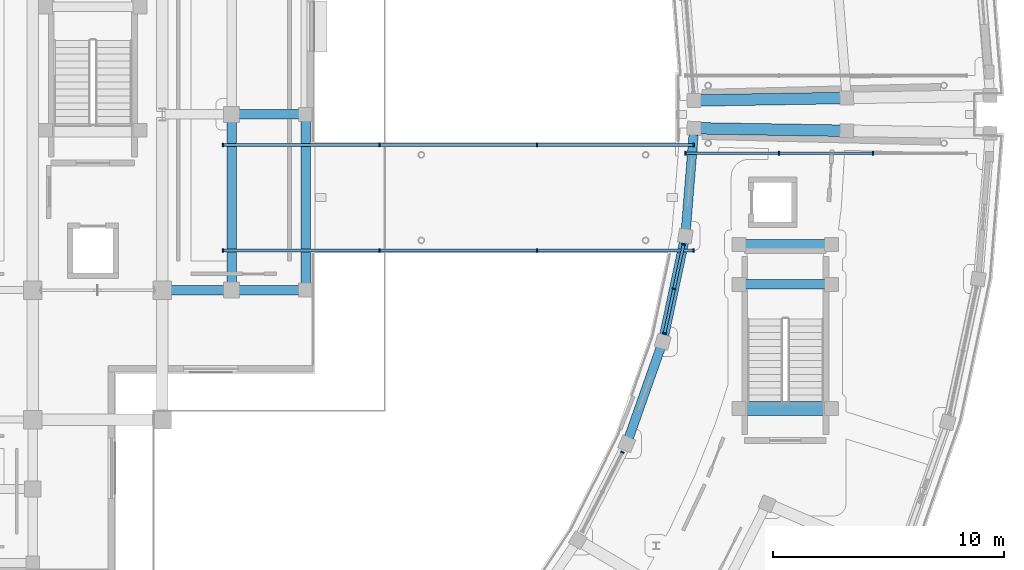
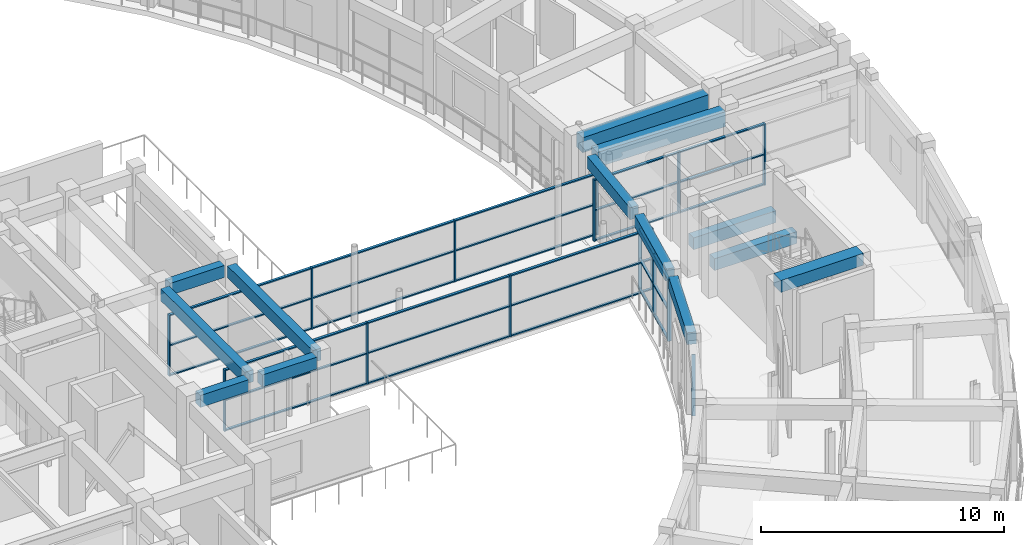
# One storey, part 25 of 72: 45 members, 13 beams, 5 elements without a shape of their own.
"""IFC4 building model written with IfcOpenShell, lengths in metres."""

from ifc_helpers import new_model, si_unit, direction, frame, origin, origin_2d, place, context, subcontext, project, spatial, rectangle, extrude, material, material_profile, profile_set, type_object, element, aggregate, save


model = new_model("IFC4")

# Units and contexts
model_context = context("Model", 3, precision=1e-05, world=origin(), true_north=direction((0.0, 1.0)))
body_context = subcontext(model_context, "Body", "Model", "MODEL_VIEW")
ifc_project = project(units=[si_unit("LENGTHUNIT", "METRE"), si_unit("AREAUNIT", "SQUARE_METRE"), si_unit("VOLUMEUNIT", "CUBIC_METRE"), si_unit("PLANEANGLEUNIT", "RADIAN"), si_unit("MASSUNIT", "GRAM", prefix="KILO")], contexts=[model_context])

# Site, building, storey
site_placement = place(None, origin())
site = spatial("IfcSite", under=ifc_project, at=site_placement, CompositionType="ELEMENT")
building_placement = place(site_placement, origin())
building = spatial("IfcBuilding", under=site, at=building_placement, Name="Saryqyr Civic Hall", CompositionType="ELEMENT")
storey_placement = place(building_placement, frame((0.0, 0.0, 17.25)))
storey = spatial("IfcBuildingStorey", under=building, at=storey_placement, Name="L04", CompositionType="ELEMENT", Elevation=17.25)

# Curtain wall, member
ifc_material_1 = material(Name="Anodised aluminium and triple low-E glass", Category="aluminium")
curtain_wall_type_1 = type_object("IfcCurtainWallType", Name="ENV-CW-STD-17", PredefinedType="NOTDEFINED", material=ifc_material_1)
curtain_wall_1_placement = place(storey_placement, origin())
curtain_wall_1 = element("IfcCurtainWall", 1, at=curtain_wall_1_placement, inside=storey, type_object=curtain_wall_type_1, Name="Curtain wall V5-CWI-L04-06", PredefinedType="NOTDEFINED")
ifc_material_2 = material(Name="Anodised aluminium", Category="aluminium")
ifc_material_profile_1 = material_profile(ifc_material_2, rectangle(XDim=0.06005859375, YDim=0.159912109375, at=origin_2d()), Name="ALU MULLION 60x160")
ifc_profile_set_1 = profile_set([ifc_material_profile_1], Name="Anodised aluminium")
member_type_1 = type_object("IfcMemberType", Name="ENV-CW-MUL-180", PredefinedType="MULLION", material=ifc_profile_set_1)
member_1_placement = place(storey_placement, frame((90.095458984375, 69.392822265625, 0.0), z_axis=(0.0, 0.0, 1.0), x_axis=(0.451909750219, 0.892063662334, 0.0)))
member_1 = element("IfcMember", 2, at=member_1_placement, type_object=member_type_1, Name="CW-17 mullion 3", PredefinedType="MULLION", context=body_context, shape_type="SweptSolid", body=[
    extrude(rectangle(XDim=0.06005859375, YDim=0.159912109375, at=origin_2d()), origin(), (0.0, 0.0, 1.0), 3.0849609375),
])
aggregate(curtain_wall_1, [member_1])

# Curtain wall, members
curtain_wall_type_2 = type_object("IfcCurtainWallType", Name="ENV-CW-STD-13", PredefinedType="NOTDEFINED", material=ifc_material_1)
curtain_wall_2_placement = place(storey_placement, origin())
curtain_wall_2 = element("IfcCurtainWall", 3, at=curtain_wall_2_placement, inside=storey, type_object=curtain_wall_type_2, Name="Curtain wall V5-CWI-L04-08", PredefinedType="NOTDEFINED")
member_2_placement = place(storey_placement, frame((91.91796875, 74.537109375, 0.0), z_axis=(0.0, 0.0, 1.0), x_axis=(0.208899296688, 0.97793715741, 0.0)))
member_2 = element("IfcMember", 4, at=member_2_placement, type_object=member_type_1, Name="CW-13 mullion 1", PredefinedType="MULLION", context=body_context, shape_type="SweptSolid", body=[
    extrude(rectangle(XDim=0.06005859375, YDim=0.159912109375, at=origin_2d()), origin(), (0.0, 0.0, 1.0), 3.0849609375),
])
member_3_placement = place(storey_placement, frame((92.327392578125, 76.453857421875, 0.0), z_axis=(0.0, 0.0, 1.0), x_axis=(0.208899296688, 0.97793715741, 0.0)))
member_3 = element("IfcMember", 5, at=member_3_placement, type_object=member_type_1, Name="CW-13 mullion 2", PredefinedType="MULLION", context=body_context, shape_type="SweptSolid", body=[
    extrude(rectangle(XDim=0.06005859375, YDim=0.159912109375, at=origin_2d()), origin(), (0.0, 0.0, 1.0), 3.0849609375),
])
member_4_placement = place(storey_placement, frame((92.73681640625, 78.37060546875, 0.0), z_axis=(0.0, 0.0, 1.0), x_axis=(0.208899296688, 0.97793715741, 0.0)))
member_4 = element("IfcMember", 6, at=member_4_placement, type_object=member_type_1, Name="CW-13 mullion 3", PredefinedType="MULLION", context=body_context, shape_type="SweptSolid", body=[
    extrude(rectangle(XDim=0.06005859375, YDim=0.159912109375, at=origin_2d()), origin(), (0.0, 0.0, 1.0), 3.0849609375),
])

curtain_wall_type_3 = type_object("IfcCurtainWallType", Name="ENV-CW-STD-81", PredefinedType="NOTDEFINED", material=ifc_material_1)
curtain_wall_3_placement = place(storey_placement, origin())
curtain_wall_3 = element("IfcCurtainWall", 7, at=curtain_wall_3_placement, inside=storey, type_object=curtain_wall_type_3, Name="Curtain wall BR-E-CW1-L04", PredefinedType="NOTDEFINED")
member_5_placement = place(storey_placement, frame((100.933349609375, 82.320068359375, 0.0), z_axis=(0.0, 0.0, 1.0), x_axis=(-1.0, 0.0, 0.0)))
member_5 = element("IfcMember", 8, at=member_5_placement, type_object=member_type_1, Name="CW-81 mullion 2", PredefinedType="MULLION", context=body_context, shape_type="SweptSolid", body=[
    extrude(rectangle(XDim=0.06005859375, YDim=0.159912109375, at=origin_2d()), origin(), (0.0, 0.0, 1.0), 3.0849609375),
])
member_6_placement = place(storey_placement, frame((96.86669921875, 82.320068359375, 0.0), z_axis=(0.0, 0.0, 1.0), x_axis=(-1.0, 0.0, 0.0)))
member_6 = element("IfcMember", 9, at=member_6_placement, type_object=member_type_1, Name="CW-81 mullion 3", PredefinedType="MULLION", context=body_context, shape_type="SweptSolid", body=[
    extrude(rectangle(XDim=0.06005859375, YDim=0.159912109375, at=origin_2d()), origin(), (0.0, 0.0, 1.0), 3.0849609375),
])
member_7_placement = place(storey_placement, frame((92.830078125, 82.320068359375, 0.0), z_axis=(0.0, 0.0, 1.0), x_axis=(-1.0, 0.0, 0.0)))
member_7 = element("IfcMember", 10, at=member_7_placement, type_object=member_type_1, Name="CW-81 mullion 4", PredefinedType="MULLION", context=body_context, shape_type="SweptSolid", body=[
    extrude(rectangle(XDim=0.06005859375, YDim=0.159912109375, at=origin_2d()), origin(), (0.0, 0.0, 1.0), 3.0849609375),
])

curtain_wall_type_4 = type_object("IfcCurtainWallType", Name="ENV-CW-STD-87", PredefinedType="NOTDEFINED", material=ifc_material_1)
curtain_wall_4_placement = place(storey_placement, origin())
curtain_wall_4 = element("IfcCurtainWall", 11, at=curtain_wall_4_placement, inside=storey, type_object=curtain_wall_type_4, Name="Curtain wall BR-CE-CW1-L04", PredefinedType="NOTDEFINED")
member_8_placement = place(storey_placement, frame((93.169921875, 78.1201171875, 0.0), z_axis=(0.0, 0.0, 1.0), x_axis=(-1.0, 0.0, 0.0)))
member_8 = element("IfcMember", 12, at=member_8_placement, type_object=member_type_1, Name="CW-87 mullion 1", PredefinedType="MULLION", context=body_context, shape_type="SweptSolid", body=[
    extrude(rectangle(XDim=0.06005859375, YDim=0.159912109375, at=origin_2d()), origin(), (0.0, 0.0, 1.0), 3.0849609375),
])
member_9_placement = place(storey_placement, frame((86.39990234375, 78.1201171875, 0.0), z_axis=(0.0, 0.0, 1.0), x_axis=(-1.0, 0.0, 0.0)))
member_9 = element("IfcMember", 13, at=member_9_placement, type_object=member_type_1, Name="CW-87 mullion 2", PredefinedType="MULLION", context=body_context, shape_type="SweptSolid", body=[
    extrude(rectangle(XDim=0.06005859375, YDim=0.159912109375, at=origin_2d()), origin(), (0.0, 0.0, 1.0), 3.0849609375),
])
member_10_placement = place(storey_placement, frame((79.60009765625, 78.1201171875, 0.0), z_axis=(0.0, 0.0, 1.0), x_axis=(-1.0, 0.0, 0.0)))
member_10 = element("IfcMember", 14, at=member_10_placement, type_object=member_type_1, Name="CW-87 mullion 3", PredefinedType="MULLION", context=body_context, shape_type="SweptSolid", body=[
    extrude(rectangle(XDim=0.06005859375, YDim=0.159912109375, at=origin_2d()), origin(), (0.0, 0.0, 1.0), 3.0849609375),
])
member_11_placement = place(storey_placement, frame((72.830078125, 78.1201171875, 0.0), z_axis=(0.0, 0.0, 1.0), x_axis=(-1.0, 0.0, 0.0)))
member_11 = element("IfcMember", 15, at=member_11_placement, type_object=member_type_1, Name="CW-87 mullion 4", PredefinedType="MULLION", context=body_context, shape_type="SweptSolid", body=[
    extrude(rectangle(XDim=0.06005859375, YDim=0.159912109375, at=origin_2d()), origin(), (0.0, 0.0, 1.0), 3.0849609375),
])

curtain_wall_5_placement = place(storey_placement, origin())
curtain_wall_5 = element("IfcCurtainWall", 16, at=curtain_wall_5_placement, inside=storey, type_object=curtain_wall_type_4, Name="Curtain wall BR-CE-CW2-L04", PredefinedType="NOTDEFINED")
member_12_placement = place(storey_placement, frame((72.830078125, 82.679931640625, 0.0), z_axis=(0.0, 0.0, 1.0), x_axis=(1.0, 0.0, 0.0)))
member_12 = element("IfcMember", 17, at=member_12_placement, type_object=member_type_1, Name="CW-87 mullion 1", PredefinedType="MULLION", context=body_context, shape_type="SweptSolid", body=[
    extrude(rectangle(XDim=0.06005859375, YDim=0.159912109375, at=origin_2d()), origin(), (0.0, 0.0, 1.0), 3.0849609375),
])
member_13_placement = place(storey_placement, frame((79.60009765625, 82.679931640625, 0.0), z_axis=(0.0, 0.0, 1.0), x_axis=(1.0, 0.0, 0.0)))
member_13 = element("IfcMember", 18, at=member_13_placement, type_object=member_type_1, Name="CW-87 mullion 2", PredefinedType="MULLION", context=body_context, shape_type="SweptSolid", body=[
    extrude(rectangle(XDim=0.06005859375, YDim=0.159912109375, at=origin_2d()), origin(), (0.0, 0.0, 1.0), 3.0849609375),
])
member_14_placement = place(storey_placement, frame((86.39990234375, 82.679931640625, 0.0), z_axis=(0.0, 0.0, 1.0), x_axis=(1.0, 0.0, 0.0)))
member_14 = element("IfcMember", 19, at=member_14_placement, type_object=member_type_1, Name="CW-87 mullion 3", PredefinedType="MULLION", context=body_context, shape_type="SweptSolid", body=[
    extrude(rectangle(XDim=0.06005859375, YDim=0.159912109375, at=origin_2d()), origin(), (0.0, 0.0, 1.0), 3.0849609375),
])
member_15_placement = place(storey_placement, frame((93.169921875, 82.679931640625, 0.0), z_axis=(0.0, 0.0, 1.0), x_axis=(1.0, 0.0, 0.0)))
member_15 = element("IfcMember", 20, at=member_15_placement, type_object=member_type_1, Name="CW-87 mullion 4", PredefinedType="MULLION", context=body_context, shape_type="SweptSolid", body=[
    extrude(rectangle(XDim=0.06005859375, YDim=0.159912109375, at=origin_2d()), origin(), (0.0, 0.0, 1.0), 3.0849609375),
])

# Member
ifc_material_profile_2 = material_profile(ifc_material_2, rectangle(XDim=0.1201171875, YDim=0.06005859375, at=origin_2d()), Name="ALU TRANSOM 120x60")
ifc_profile_set_2 = profile_set([ifc_material_profile_2], Name="Anodised aluminium")
member_type_2 = type_object("IfcMemberType", Name="ENV-CW-TRN-150", PredefinedType="USERDEFINED", material=ifc_profile_set_2)
member_16_placement = place(storey_placement, frame((91.92431640625, 74.56640625, 0.030029296875), z_axis=(0.208923581967, 0.977931969463, 0.0), x_axis=(-0.977931969463, 0.208923581967, 0.0)))
member_16 = element("IfcMember", 21, at=member_16_placement, type_object=member_type_2, Name="CW-13 transom 1.1", ObjectType="TRANSOM", PredefinedType="USERDEFINED", context=body_context, shape_type="SweptSolid", body=[
    extrude(rectangle(XDim=0.1201171875, YDim=0.06005859375, at=origin_2d()), origin(), (0.0, 0.0, 1.0), 1.900146484375),
])

member_17_placement = place(storey_placement, frame((91.92431640625, 74.56640625, 1.54296875), z_axis=(0.208923581967, 0.977931969463, 0.0), x_axis=(-0.977931969463, 0.208923581967, 0.0)))
member_17 = element("IfcMember", 22, at=member_17_placement, type_object=member_type_2, Name="CW-13 transom 1.2", ObjectType="TRANSOM", PredefinedType="USERDEFINED", context=body_context, shape_type="SweptSolid", body=[
    extrude(rectangle(XDim=0.1201171875, YDim=0.06005859375, at=origin_2d()), origin(), (0.0, 0.0, 1.0), 1.900146484375),
])

member_18_placement = place(storey_placement, frame((91.92431640625, 74.56640625, 3.054931640625), z_axis=(0.208923581967, 0.977931969463, 0.0), x_axis=(-0.977931969463, 0.208923581967, 0.0)))
member_18 = element("IfcMember", 23, at=member_18_placement, type_object=member_type_2, Name="CW-13 transom 1.3", ObjectType="TRANSOM", PredefinedType="USERDEFINED", context=body_context, shape_type="SweptSolid", body=[
    extrude(rectangle(XDim=0.1201171875, YDim=0.06005859375, at=origin_2d()), origin(), (0.0, 0.0, 1.0), 1.900146484375),
])

member_19_placement = place(storey_placement, frame((92.333740234375, 76.483154296875, 0.030029296875), z_axis=(0.208923581967, 0.977931969463, 0.0), x_axis=(-0.977931969463, 0.208923581967, 0.0)))
member_19 = element("IfcMember", 24, at=member_19_placement, type_object=member_type_2, Name="CW-13 transom 2.1", ObjectType="TRANSOM", PredefinedType="USERDEFINED", context=body_context, shape_type="SweptSolid", body=[
    extrude(rectangle(XDim=0.1201171875, YDim=0.06005859375, at=origin_2d()), origin(), (0.0, 0.0, 1.0), 1.900146484375),
])

member_20_placement = place(storey_placement, frame((92.333740234375, 76.483154296875, 1.54296875), z_axis=(0.208923581967, 0.977931969463, 0.0), x_axis=(-0.977931969463, 0.208923581967, 0.0)))
member_20 = element("IfcMember", 25, at=member_20_placement, type_object=member_type_2, Name="CW-13 transom 2.2", ObjectType="TRANSOM", PredefinedType="USERDEFINED", context=body_context, shape_type="SweptSolid", body=[
    extrude(rectangle(XDim=0.1201171875, YDim=0.06005859375, at=origin_2d()), origin(), (0.0, 0.0, 1.0), 1.900146484375),
])

member_21_placement = place(storey_placement, frame((92.333740234375, 76.483154296875, 3.054931640625), z_axis=(0.208923581967, 0.977931969463, 0.0), x_axis=(-0.977931969463, 0.208923581967, 0.0)))
member_21 = element("IfcMember", 26, at=member_21_placement, type_object=member_type_2, Name="CW-13 transom 2.3", ObjectType="TRANSOM", PredefinedType="USERDEFINED", context=body_context, shape_type="SweptSolid", body=[
    extrude(rectangle(XDim=0.1201171875, YDim=0.06005859375, at=origin_2d()), origin(), (0.0, 0.0, 1.0), 1.900146484375),
])

aggregate(curtain_wall_2, [member_2, member_3, member_4, member_16, member_17, member_18, member_19, member_20, member_21])

member_22_placement = place(storey_placement, frame((100.9033203125, 82.320068359375, 0.030029296875), z_axis=(-1.0, 0.0, 0.0), x_axis=(0.0, -1.0, 0.0)))
member_22 = element("IfcMember", 27, at=member_22_placement, type_object=member_type_2, Name="CW-81 transom 2.1", ObjectType="TRANSOM", PredefinedType="USERDEFINED", context=body_context, shape_type="SweptSolid", body=[
    extrude(rectangle(XDim=0.1201171875, YDim=0.06005859375, at=origin_2d()), origin(), (0.0, 0.0, 1.0), 4.006591796875),
])

member_23_placement = place(storey_placement, frame((100.9033203125, 82.320068359375, 1.54296875), z_axis=(-1.0, 0.0, 0.0), x_axis=(0.0, -1.0, 0.0)))
member_23 = element("IfcMember", 28, at=member_23_placement, type_object=member_type_2, Name="CW-81 transom 2.2", ObjectType="TRANSOM", PredefinedType="USERDEFINED", context=body_context, shape_type="SweptSolid", body=[
    extrude(rectangle(XDim=0.1201171875, YDim=0.06005859375, at=origin_2d()), origin(), (0.0, 0.0, 1.0), 4.006591796875),
])

member_24_placement = place(storey_placement, frame((100.9033203125, 82.320068359375, 3.054931640625), z_axis=(-1.0, 0.0, 0.0), x_axis=(0.0, -1.0, 0.0)))
member_24 = element("IfcMember", 29, at=member_24_placement, type_object=member_type_2, Name="CW-81 transom 2.3", ObjectType="TRANSOM", PredefinedType="USERDEFINED", context=body_context, shape_type="SweptSolid", body=[
    extrude(rectangle(XDim=0.1201171875, YDim=0.06005859375, at=origin_2d()), origin(), (0.0, 0.0, 1.0), 4.006591796875),
])

member_25_placement = place(storey_placement, frame((96.836669921875, 82.320068359375, 0.030029296875), z_axis=(-1.0, 0.0, 0.0), x_axis=(0.0, -1.0, 0.0)))
member_25 = element("IfcMember", 30, at=member_25_placement, type_object=member_type_2, Name="CW-81 transom 3.1", ObjectType="TRANSOM", PredefinedType="USERDEFINED", context=body_context, shape_type="SweptSolid", body=[
    extrude(rectangle(XDim=0.1201171875, YDim=0.06005859375, at=origin_2d()), origin(), (0.0, 0.0, 1.0), 3.9765625),
])

member_26_placement = place(storey_placement, frame((96.836669921875, 82.320068359375, 1.54296875), z_axis=(-1.0, 0.0, 0.0), x_axis=(0.0, -1.0, 0.0)))
member_26 = element("IfcMember", 31, at=member_26_placement, type_object=member_type_2, Name="CW-81 transom 3.2", ObjectType="TRANSOM", PredefinedType="USERDEFINED", context=body_context, shape_type="SweptSolid", body=[
    extrude(rectangle(XDim=0.1201171875, YDim=0.06005859375, at=origin_2d()), origin(), (0.0, 0.0, 1.0), 3.9765625),
])

member_27_placement = place(storey_placement, frame((96.836669921875, 82.320068359375, 3.054931640625), z_axis=(-1.0, 0.0, 0.0), x_axis=(0.0, -1.0, 0.0)))
member_27 = element("IfcMember", 32, at=member_27_placement, type_object=member_type_2, Name="CW-81 transom 3.3", ObjectType="TRANSOM", PredefinedType="USERDEFINED", context=body_context, shape_type="SweptSolid", body=[
    extrude(rectangle(XDim=0.1201171875, YDim=0.06005859375, at=origin_2d()), origin(), (0.0, 0.0, 1.0), 3.9765625),
])

aggregate(curtain_wall_3, [member_5, member_6, member_7, member_22, member_23, member_24, member_25, member_26, member_27])

member_28_placement = place(storey_placement, frame((93.139892578125, 78.1201171875, 0.030029296875), z_axis=(-1.0, 0.0, 0.0), x_axis=(0.0, -1.0, 0.0)))
member_28 = element("IfcMember", 33, at=member_28_placement, type_object=member_type_2, Name="CW-87 transom 1.1", ObjectType="TRANSOM", PredefinedType="USERDEFINED", context=body_context, shape_type="SweptSolid", body=[
    extrude(rectangle(XDim=0.1201171875, YDim=0.06005859375, at=origin_2d()), origin(), (0.0, 0.0, 1.0), 6.7099609375),
])

member_29_placement = place(storey_placement, frame((93.139892578125, 78.1201171875, 1.54296875), z_axis=(-1.0, 0.0, 0.0), x_axis=(0.0, -1.0, 0.0)))
member_29 = element("IfcMember", 34, at=member_29_placement, type_object=member_type_2, Name="CW-87 transom 1.2", ObjectType="TRANSOM", PredefinedType="USERDEFINED", context=body_context, shape_type="SweptSolid", body=[
    extrude(rectangle(XDim=0.1201171875, YDim=0.06005859375, at=origin_2d()), origin(), (0.0, 0.0, 1.0), 6.7099609375),
])

member_30_placement = place(storey_placement, frame((93.139892578125, 78.1201171875, 3.054931640625), z_axis=(-1.0, 0.0, 0.0), x_axis=(0.0, -1.0, 0.0)))
member_30 = element("IfcMember", 35, at=member_30_placement, type_object=member_type_2, Name="CW-87 transom 1.3", ObjectType="TRANSOM", PredefinedType="USERDEFINED", context=body_context, shape_type="SweptSolid", body=[
    extrude(rectangle(XDim=0.1201171875, YDim=0.06005859375, at=origin_2d()), origin(), (0.0, 0.0, 1.0), 6.7099609375),
])

member_31_placement = place(storey_placement, frame((86.3701171875, 78.1201171875, 0.030029296875), z_axis=(-1.0, 0.0, 0.0), x_axis=(0.0, -1.0, 0.0)))
member_31 = element("IfcMember", 36, at=member_31_placement, type_object=member_type_2, Name="CW-87 transom 2.1", ObjectType="TRANSOM", PredefinedType="USERDEFINED", context=body_context, shape_type="SweptSolid", body=[
    extrude(rectangle(XDim=0.1201171875, YDim=0.06005859375, at=origin_2d()), origin(), (0.0, 0.0, 1.0), 6.740234375),
])

member_32_placement = place(storey_placement, frame((86.3701171875, 78.1201171875, 1.54296875), z_axis=(-1.0, 0.0, 0.0), x_axis=(0.0, -1.0, 0.0)))
member_32 = element("IfcMember", 37, at=member_32_placement, type_object=member_type_2, Name="CW-87 transom 2.2", ObjectType="TRANSOM", PredefinedType="USERDEFINED", context=body_context, shape_type="SweptSolid", body=[
    extrude(rectangle(XDim=0.1201171875, YDim=0.06005859375, at=origin_2d()), origin(), (0.0, 0.0, 1.0), 6.740234375),
])

member_33_placement = place(storey_placement, frame((86.3701171875, 78.1201171875, 3.054931640625), z_axis=(-1.0, 0.0, 0.0), x_axis=(0.0, -1.0, 0.0)))
member_33 = element("IfcMember", 38, at=member_33_placement, type_object=member_type_2, Name="CW-87 transom 2.3", ObjectType="TRANSOM", PredefinedType="USERDEFINED", context=body_context, shape_type="SweptSolid", body=[
    extrude(rectangle(XDim=0.1201171875, YDim=0.06005859375, at=origin_2d()), origin(), (0.0, 0.0, 1.0), 6.740234375),
])

member_34_placement = place(storey_placement, frame((79.570068359375, 78.1201171875, 0.030029296875), z_axis=(-1.0, 0.0, 0.0), x_axis=(0.0, -1.0, 0.0)))
member_34 = element("IfcMember", 39, at=member_34_placement, type_object=member_type_2, Name="CW-87 transom 3.1", ObjectType="TRANSOM", PredefinedType="USERDEFINED", context=body_context, shape_type="SweptSolid", body=[
    extrude(rectangle(XDim=0.1201171875, YDim=0.06005859375, at=origin_2d()), origin(), (0.0, 0.0, 1.0), 6.7099609375),
])

member_35_placement = place(storey_placement, frame((79.570068359375, 78.1201171875, 1.54296875), z_axis=(-1.0, 0.0, 0.0), x_axis=(0.0, -1.0, 0.0)))
member_35 = element("IfcMember", 40, at=member_35_placement, type_object=member_type_2, Name="CW-87 transom 3.2", ObjectType="TRANSOM", PredefinedType="USERDEFINED", context=body_context, shape_type="SweptSolid", body=[
    extrude(rectangle(XDim=0.1201171875, YDim=0.06005859375, at=origin_2d()), origin(), (0.0, 0.0, 1.0), 6.7099609375),
])

member_36_placement = place(storey_placement, frame((79.570068359375, 78.1201171875, 3.054931640625), z_axis=(-1.0, 0.0, 0.0), x_axis=(0.0, -1.0, 0.0)))
member_36 = element("IfcMember", 41, at=member_36_placement, type_object=member_type_2, Name="CW-87 transom 3.3", ObjectType="TRANSOM", PredefinedType="USERDEFINED", context=body_context, shape_type="SweptSolid", body=[
    extrude(rectangle(XDim=0.1201171875, YDim=0.06005859375, at=origin_2d()), origin(), (0.0, 0.0, 1.0), 6.7099609375),
])

aggregate(curtain_wall_4, [member_8, member_9, member_10, member_11, member_28, member_29, member_30, member_31, member_32, member_33, member_34, member_35, member_36])

member_37_placement = place(storey_placement, frame((72.860107421875, 82.679931640625, 0.030029296875), z_axis=(1.0, 0.0, 0.0), x_axis=(0.0, 1.0, 0.0)))
member_37 = element("IfcMember", 42, at=member_37_placement, type_object=member_type_2, Name="CW-87 transom 1.1", ObjectType="TRANSOM", PredefinedType="USERDEFINED", context=body_context, shape_type="SweptSolid", body=[
    extrude(rectangle(XDim=0.1201171875, YDim=0.06005859375, at=origin_2d()), origin(), (0.0, 0.0, 1.0), 6.7099609375),
])

member_38_placement = place(storey_placement, frame((72.860107421875, 82.679931640625, 1.54296875), z_axis=(1.0, 0.0, 0.0), x_axis=(0.0, 1.0, 0.0)))
member_38 = element("IfcMember", 43, at=member_38_placement, type_object=member_type_2, Name="CW-87 transom 1.2", ObjectType="TRANSOM", PredefinedType="USERDEFINED", context=body_context, shape_type="SweptSolid", body=[
    extrude(rectangle(XDim=0.1201171875, YDim=0.06005859375, at=origin_2d()), origin(), (0.0, 0.0, 1.0), 6.7099609375),
])

member_39_placement = place(storey_placement, frame((72.860107421875, 82.679931640625, 3.054931640625), z_axis=(1.0, 0.0, 0.0), x_axis=(0.0, 1.0, 0.0)))
member_39 = element("IfcMember", 44, at=member_39_placement, type_object=member_type_2, Name="CW-87 transom 1.3", ObjectType="TRANSOM", PredefinedType="USERDEFINED", context=body_context, shape_type="SweptSolid", body=[
    extrude(rectangle(XDim=0.1201171875, YDim=0.06005859375, at=origin_2d()), origin(), (0.0, 0.0, 1.0), 6.7099609375),
])

member_40_placement = place(storey_placement, frame((79.6298828125, 82.679931640625, 0.030029296875), z_axis=(1.0, 0.0, 0.0), x_axis=(0.0, 1.0, 0.0)))
member_40 = element("IfcMember", 45, at=member_40_placement, type_object=member_type_2, Name="CW-87 transom 2.1", ObjectType="TRANSOM", PredefinedType="USERDEFINED", context=body_context, shape_type="SweptSolid", body=[
    extrude(rectangle(XDim=0.1201171875, YDim=0.06005859375, at=origin_2d()), origin(), (0.0, 0.0, 1.0), 6.740234375),
])

member_41_placement = place(storey_placement, frame((79.6298828125, 82.679931640625, 1.54296875), z_axis=(1.0, 0.0, 0.0), x_axis=(0.0, 1.0, 0.0)))
member_41 = element("IfcMember", 46, at=member_41_placement, type_object=member_type_2, Name="CW-87 transom 2.2", ObjectType="TRANSOM", PredefinedType="USERDEFINED", context=body_context, shape_type="SweptSolid", body=[
    extrude(rectangle(XDim=0.1201171875, YDim=0.06005859375, at=origin_2d()), origin(), (0.0, 0.0, 1.0), 6.740234375),
])

member_42_placement = place(storey_placement, frame((79.6298828125, 82.679931640625, 3.054931640625), z_axis=(1.0, 0.0, 0.0), x_axis=(0.0, 1.0, 0.0)))
member_42 = element("IfcMember", 47, at=member_42_placement, type_object=member_type_2, Name="CW-87 transom 2.3", ObjectType="TRANSOM", PredefinedType="USERDEFINED", context=body_context, shape_type="SweptSolid", body=[
    extrude(rectangle(XDim=0.1201171875, YDim=0.06005859375, at=origin_2d()), origin(), (0.0, 0.0, 1.0), 6.740234375),
])

member_43_placement = place(storey_placement, frame((86.429931640625, 82.679931640625, 0.030029296875), z_axis=(1.0, 0.0, 0.0), x_axis=(0.0, 1.0, 0.0)))
member_43 = element("IfcMember", 48, at=member_43_placement, type_object=member_type_2, Name="CW-87 transom 3.1", ObjectType="TRANSOM", PredefinedType="USERDEFINED", context=body_context, shape_type="SweptSolid", body=[
    extrude(rectangle(XDim=0.1201171875, YDim=0.06005859375, at=origin_2d()), origin(), (0.0, 0.0, 1.0), 6.7099609375),
])

member_44_placement = place(storey_placement, frame((86.429931640625, 82.679931640625, 1.54296875), z_axis=(1.0, 0.0, 0.0), x_axis=(0.0, 1.0, 0.0)))
member_44 = element("IfcMember", 49, at=member_44_placement, type_object=member_type_2, Name="CW-87 transom 3.2", ObjectType="TRANSOM", PredefinedType="USERDEFINED", context=body_context, shape_type="SweptSolid", body=[
    extrude(rectangle(XDim=0.1201171875, YDim=0.06005859375, at=origin_2d()), origin(), (0.0, 0.0, 1.0), 6.7099609375),
])

member_45_placement = place(storey_placement, frame((86.429931640625, 82.679931640625, 3.054931640625), z_axis=(1.0, 0.0, 0.0), x_axis=(0.0, 1.0, 0.0)))
member_45 = element("IfcMember", 50, at=member_45_placement, type_object=member_type_2, Name="CW-87 transom 3.3", ObjectType="TRANSOM", PredefinedType="USERDEFINED", context=body_context, shape_type="SweptSolid", body=[
    extrude(rectangle(XDim=0.1201171875, YDim=0.06005859375, at=origin_2d()), origin(), (0.0, 0.0, 1.0), 6.7099609375),
])

aggregate(curtain_wall_5, [member_12, member_13, member_14, member_15, member_37, member_38, member_39, member_40, member_41, member_42, member_43, member_44, member_45])

# Beams
ifc_material_3 = material(Name="Concrete C35/45", Category="concrete")
ifc_material_profile_3 = material_profile(ifc_material_3, rectangle(XDim=0.39990234375, YDim=0.60009765625, at=origin_2d()), Name="RC 400x600")
ifc_profile_set_3 = profile_set([ifc_material_profile_3], Name="Concrete C35/45")
beam_type_1 = type_object("IfcBeamType", Name="STR-BM-RC400x600", PredefinedType="BEAM", material=ifc_profile_set_3)
beam_1_placement = place(storey_placement, frame((70.574951171875, 76.39990234375, 3.409912109375), z_axis=(1.0, 0.0, 0.0), x_axis=(0.0, 1.0, 0.0)))
element("IfcBeam", 51, at=beam_1_placement, inside=storey, type_object=beam_type_1, Name="Beam V1-TBM-04-L04", PredefinedType="BEAM", context=body_context, shape_type="SweptSolid", body=[
    extrude(rectangle(XDim=0.39990234375, YDim=0.60009765625, at=origin_2d()), origin(), (0.0, 0.0, 1.0), 2.300048828125),
])
beam_2_placement = place(storey_placement, frame((73.199951171875, 76.72509765625, 3.409912109375), z_axis=(0.0, 1.0, 0.0), x_axis=(-1.0, 0.0, 0.0)))
element("IfcBeam", 52, at=beam_2_placement, inside=storey, type_object=beam_type_1, Name="Beam V1-TBM-13-L04", PredefinedType="BEAM", context=body_context, shape_type="SweptSolid", body=[
    extrude(rectangle(XDim=0.39990234375, YDim=0.60009765625, at=origin_2d()), origin(), (0.0, 0.0, 1.0), 6.949951171875),
])
for number, where, z_axis, x_axis, name in (
    (53, (73.52490234375, 76.39990234375, 3.409912109375), (1.0, 0.0, 0.0), (0.0, 1.0, 0.0), "Beam V1-TBM-22-L04"),
    (54, (73.52490234375, 84.0, 3.409912109375), (1.0, 0.0, 0.0), (0.0, 1.0, 0.0), "Beam V1-TBM-23-L04"),
):
    element("IfcBeam", number, at=place(storey_placement, frame(where, z_axis=z_axis, x_axis=x_axis)), inside=storey, type_object=beam_type_1, Name=name, PredefinedType="BEAM", context=body_context, shape_type="SweptSolid", body=[
        extrude(rectangle(XDim=0.39990234375, YDim=0.60009765625, at=origin_2d()), origin(), (0.0, 0.0, 1.0), 2.60009765625),
    ])
beam_3_placement = place(storey_placement, frame((76.39990234375, 76.675048828125, 3.409912109375), z_axis=(0.0, 1.0, 0.0), x_axis=(-1.0, 0.0, 0.0)))
element("IfcBeam", 55, at=beam_3_placement, inside=storey, type_object=beam_type_1, Name="Beam V1-TBM-31-L04", PredefinedType="BEAM", context=body_context, shape_type="SweptSolid", body=[
    extrude(rectangle(XDim=0.39990234375, YDim=0.60009765625, at=origin_2d()), origin(), (0.0, 0.0, 1.0), 7.050048828125),
])
for number, where, z_axis, x_axis, name in (
    (56, (99.10009765625, 76.64990234375, 1.52490234375), (-1.0, 0.0, 0.0), (0.0, -1.0, 0.0), "Stair half-landing support beam ST-5-LND1-L04"),
    (57, (99.10009765625, 78.3798828125, 1.52490234375), (-1.0, 0.0, 0.0), (0.0, -1.0, 0.0), "Stair half-landing support beam ST-5-LND2-L04"),
):
    element("IfcBeam", number, at=place(storey_placement, frame(where, z_axis=z_axis, x_axis=x_axis)), inside=storey, type_object=beam_type_1, Name=name, PredefinedType="BEAM", context=body_context, shape_type="SweptSolid", body=[
        extrude(rectangle(XDim=0.39990234375, YDim=0.60009765625, at=origin_2d()), origin(), (0.0, 0.0, 1.0), 3.920166015625),
    ])
ifc_material_profile_4 = material_profile(ifc_material_3, rectangle(XDim=0.39990234375, YDim=0.60009765625, at=origin_2d()), Name="RC 400x600")
ifc_profile_set_4 = profile_set([ifc_material_profile_4], Name="Concrete C35/45")
beam_type_2 = type_object("IfcBeamType", Name="STR-BM-RC400x600-EXT", PredefinedType="BEAM", material=ifc_profile_set_4)
beam_4_placement = place(storey_placement, frame((90.373046875, 70.018798828125, 3.409912109375), z_axis=(0.333185372097, 0.942861340718, 0.0), x_axis=(-0.942861340718, 0.333185372097, 0.0)))
element("IfcBeam", 58, at=beam_4_placement, inside=storey, type_object=beam_type_2, Name="Beam V5-CBM-IN07-L04", PredefinedType="BEAM", context=body_context, shape_type="SweptSolid", body=[
    extrude(rectangle(XDim=0.39990234375, YDim=0.60009765625, at=origin_2d()), origin(), (0.0, 0.0, 1.0), 4.12548828125),
])
beam_5_placement = place(storey_placement, frame((91.896484375, 74.436767578125, 3.409912109375), z_axis=(0.208914702751, 0.97793386636, 0.0), x_axis=(-0.97793386636, 0.208914702751, 0.0)))
element("IfcBeam", 59, at=beam_5_placement, inside=storey, type_object=beam_type_2, Name="Beam V5-CBM-IN08-L04", PredefinedType="BEAM", context=body_context, shape_type="SweptSolid", body=[
    extrude(rectangle(XDim=0.39990234375, YDim=0.60009765625, at=origin_2d()), origin(), (0.0, 0.0, 1.0), 4.125244140625),
])
beam_6_placement = place(storey_placement, frame((92.838134765625, 79.013916015625, 3.409912109375), z_axis=(0.081076463708, 0.996707884504, 0.0), x_axis=(-0.996707884504, 0.081076463708, 0.0)))
element("IfcBeam", 60, at=beam_6_placement, inside=storey, type_object=beam_type_2, Name="Beam V5-CBM-IN09-L04", PredefinedType="BEAM", context=body_context, shape_type="SweptSolid", body=[
    extrude(rectangle(XDim=0.39990234375, YDim=0.60009765625, at=origin_2d()), origin(), (0.0, 0.0, 1.0), 4.12548828125),
])
ifc_material_4 = material(Name="Concrete C40/50", Category="concrete")
ifc_material_profile_5 = material_profile(ifc_material_4, rectangle(XDim=0.5, YDim=0.75, at=origin_2d()), Name="RC 500x750")
ifc_profile_set_5 = profile_set([ifc_material_profile_5], Name="Concrete C40/50")
beam_type_3 = type_object("IfcBeamType", Name="STR-BM-RC500x750", PredefinedType="BEAM", material=ifc_profile_set_5)
for number, where, z_axis, x_axis, name in (
    (61, (93.469970703125, 83.395263671875, 3.3349609375), (0.9998624481, -0.016585682939, 0.0), (0.016585682939, 0.9998624481, 0.0), "Beam V5-RBM-A10-L04"),
    (62, (93.469970703125, 84.604736328125, 3.3349609375), (0.9998624481, 0.016585682939, 0.0), (-0.016585682939, 0.9998624481, 0.0), "Beam V6-RBM-A00-L04"),
):
    element("IfcBeam", number, at=place(storey_placement, frame(where, z_axis=z_axis, x_axis=x_axis)), inside=storey, type_object=beam_type_3, Name=name, PredefinedType="BEAM", context=body_context, shape_type="SweptSolid", body=[
        extrude(rectangle(XDim=0.5, YDim=0.75, at=origin_2d()), origin(), (0.0, 0.0, 1.0), 6.0498046875),
    ])
ifc_material_profile_6 = material_profile(ifc_material_4, rectangle(XDim=0.60009765625, YDim=0.60009765625, at=origin_2d()), Name="RC 600x600")
ifc_profile_set_6 = profile_set([ifc_material_profile_6], Name="Concrete C40/50")
beam_type_4 = type_object("IfcBeamType", Name="STR-BM-RC600x600", PredefinedType="BEAM", material=ifc_profile_set_6)
beam_7_placement = place(storey_placement, frame((99.10009765625, 71.27490234375, 3.75), z_axis=(-1.0, 0.0, 0.0), x_axis=(0.0, -1.0, 0.0)))
element("IfcBeam", 63, at=beam_7_placement, inside=storey, type_object=beam_type_4, Name="Stair well trimmer beam ST-5-L05", PredefinedType="BEAM", context=body_context, shape_type="SweptSolid", body=[
    extrude(rectangle(XDim=0.60009765625, YDim=0.60009765625, at=origin_2d()), origin(), (0.0, 0.0, 1.0), 3.920166015625),
])

save(model, "model.ifc")
